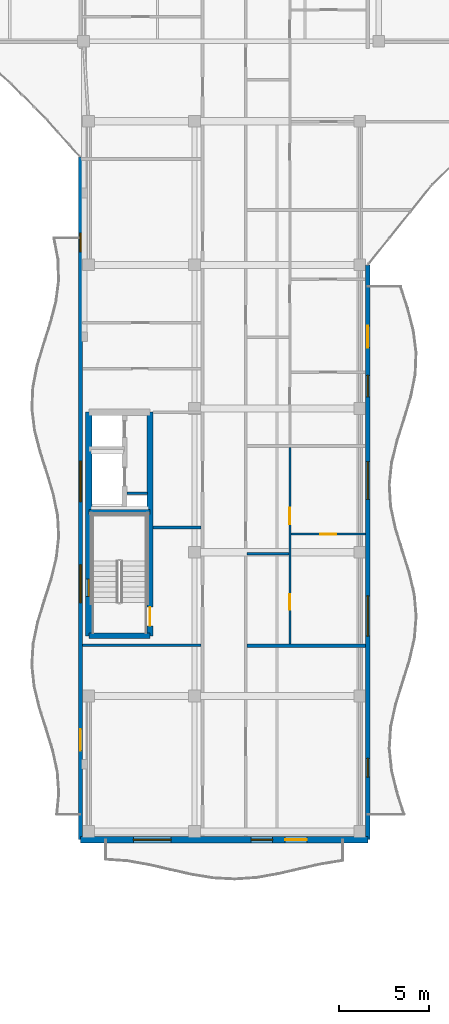
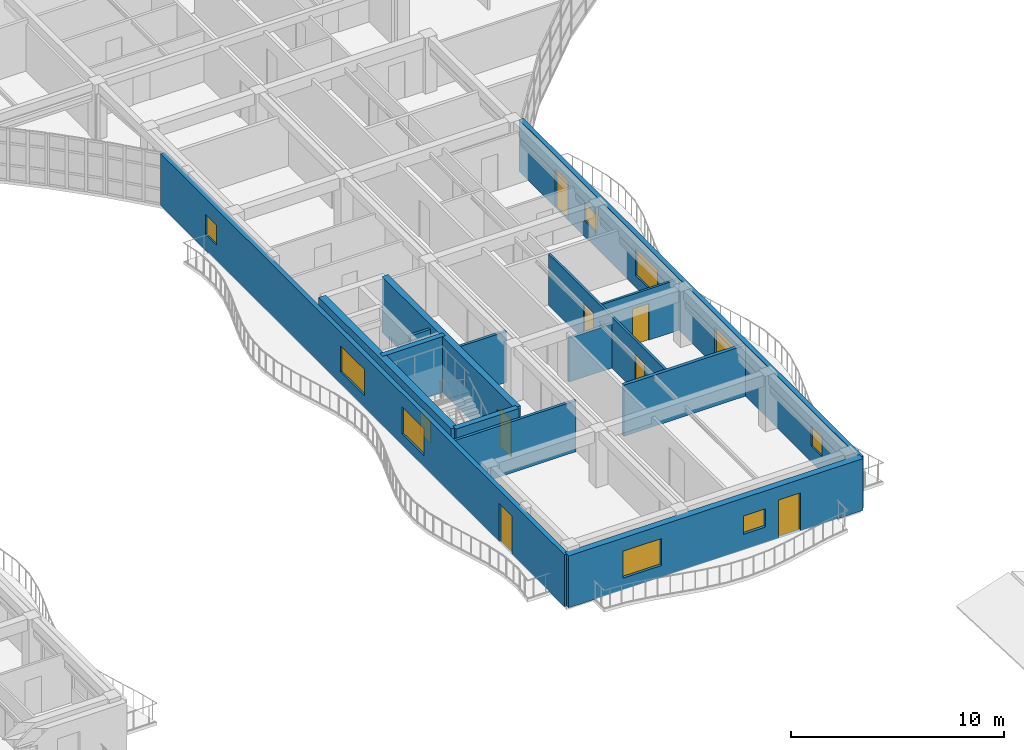
# One storey, part 46 of 89: 14 walls, 10 windows, 7 doors, 17 openings.
"""IFC4 building model written with IfcOpenShell, lengths in metres."""

from ifc_helpers import new_model, si_unit, direction, frame, frame_2d, origin, place, context, subcontext, project, spatial, rectangle, extrude, material, layer, layer_set, type_object, element, fill, save


model = new_model("IFC4")

# Units and contexts
model_context = context("Model", 3, precision=1e-05, world=origin(), true_north=direction((0.0, 1.0)))
body_context = subcontext(model_context, "Body", "Model", "MODEL_VIEW")
ifc_project = project(units=[si_unit("LENGTHUNIT", "METRE"), si_unit("AREAUNIT", "SQUARE_METRE"), si_unit("VOLUMEUNIT", "CUBIC_METRE"), si_unit("PLANEANGLEUNIT", "RADIAN"), si_unit("MASSUNIT", "GRAM", prefix="KILO")], contexts=[model_context])

# Site, building, storey
site_placement = place(None, origin())
site = spatial("IfcSite", under=ifc_project, at=site_placement, CompositionType="ELEMENT")
building_placement = place(site_placement, origin())
building = spatial("IfcBuilding", under=site, at=building_placement, Name="Keldmere Railside Commons", CompositionType="ELEMENT")
storey_placement = place(building_placement, frame((0.0, 0.0, 7.360107421875)))
storey = spatial("IfcBuildingStorey", under=building, at=storey_placement, Name="L02", CompositionType="ELEMENT", Elevation=7.360107421875)

# Wall
ifc_material_1 = material(Name="Acoustic Gypsum Board Partition", Category="gypsum")
ifc_layer_1 = layer(ifc_material_1, 0.179931640625, Name="Acoustic Demising Partition 180")
ifc_layer_set_1 = layer_set([ifc_layer_1], Name="Acoustic Gypsum Board Partition")
wall_type_1 = type_object("IfcWallType", Name="Acoustic Demising Partition 180", PredefinedType="PARTITIONING", material=ifc_layer_set_1)
wall_1_placement = place(storey_placement, frame((57.280029296875, 66.7900390625, 0.0), z_axis=(0.0, 0.0, 1.0), x_axis=(1.0, 0.0, 0.0)))
element("IfcWall", 1, at=wall_1_placement, inside=storey, type_object=wall_type_1, Name="IW-1 IW-L02-0559", PredefinedType="PARTITIONING", context=body_context, shape_type="SweptSolid", body=[
    extrude(rectangle(XDim=6.599853515625, YDim=0.179931640625, at=frame_2d((3.2998046875, 0.0))), origin(), (0.0, 0.0, 1.0), 2.934814453125),
])

# Wall, openings, doors
ifc_layer_2 = layer(ifc_material_1, 0.1201171875, Name="Apartment Interior Partition 120")
ifc_layer_set_2 = layer_set([ifc_layer_2], Name="Acoustic Gypsum Board Partition")
wall_type_2 = type_object("IfcWallType", Name="Apartment Interior Partition 120", PredefinedType="PARTITIONING", material=ifc_layer_set_2)
wall_2_placement = place(storey_placement, frame((59.659912109375, 66.8798828125, 0.0), z_axis=(0.0, 0.0, 1.0), x_axis=(0.0, 1.0, 0.0)))
wall_2 = element("IfcWall", 2, at=wall_2_placement, inside=storey, type_object=wall_type_2, Name="IW-4 IW-L02-0562", PredefinedType="PARTITIONING", context=body_context, shape_type="SweptSolid", body=[
    extrude(rectangle(XDim=10.940185546875, YDim=0.1201171875, at=frame_2d((5.47021484375, 0.0))), origin(), (0.0, 0.0, 1.0), 2.934814453125),
])
opening_1_placement = place(wall_2_placement, frame((1.911376953125, 0.0, 0.0)))
opening_1 = element("IfcOpeningElement", 3, at=opening_1_placement, cuts=wall_2, Name="Opening ID-04", PredefinedType="OPENING", context=body_context, shape_type="SweptSolid", body=[
    extrude(rectangle(XDim=0.860107421875, YDim=2.10009765625, at=frame_2d((0.43017578125, 1.050048828125))), frame((0.0, 0.070068359375, 0.0), z_axis=(0.0, -1.0, 0.0), x_axis=(1.0, 0.0, 0.0)), (0.0, 0.0, 1.0), 0.14013671875),
])
opening_2_placement = place(wall_2_placement, frame((6.684814453125, 0.0, 0.0)))
opening_2 = element("IfcOpeningElement", 4, at=opening_2_placement, cuts=wall_2, Name="Opening ID-03", PredefinedType="OPENING", context=body_context, shape_type="SweptSolid", body=[
    extrude(rectangle(XDim=0.919921875, YDim=2.10009765625, at=frame_2d((0.4599609375, 1.050048828125))), frame((0.0, 0.070068359375, 0.0), z_axis=(0.0, -1.0, 0.0), x_axis=(1.0, 0.0, 0.0)), (0.0, 0.0, 1.0), 0.14013671875),
])
ifc_material_2 = material(Name="Engineered Oak Timber", Category="wood")
door_type_1 = type_object("IfcDoorType", Name="Apartment Bathroom Door 860x2100", OperationType="NOTDEFINED", PredefinedType="DOOR", material=ifc_material_2)
door_1_placement = place(opening_1_placement, origin())
door_1 = element("IfcDoor", 5, at=door_1_placement, inside=storey, type_object=door_type_1, Name="ID-04 IDR-L02-0449", OperationType="SINGLE_SWING_LEFT", OverallHeight=2.10009765625, OverallWidth=0.860107421875, PredefinedType="DOOR", context=body_context, shape_type="SweptSolid", body=[
    extrude(rectangle(XDim=0.860107421875, YDim=2.10009765625, at=frame_2d((0.43017578125, 1.050048828125))), frame((0.0, 0.02490234375, 0.0), z_axis=(0.0, -1.0, 0.0), x_axis=(1.0, 0.0, 0.0)), (0.0, 0.0, 1.0), 0.050048828125),
])
fill(opening_1, door_1)
door_type_2 = type_object("IfcDoorType", Name="Kitchen Pocket-Frame Swing Door 920x2100", OperationType="NOTDEFINED", PredefinedType="DOOR", material=ifc_material_2)
door_2_placement = place(opening_2_placement, origin())
door_2 = element("IfcDoor", 6, at=door_2_placement, inside=storey, type_object=door_type_2, Name="ID-03 IDR-L02-0450", OperationType="SINGLE_SWING_RIGHT", OverallHeight=2.10009765625, OverallWidth=0.919921875, PredefinedType="DOOR", context=body_context, shape_type="SweptSolid", body=[
    extrude(rectangle(XDim=0.919921875, YDim=2.10009765625, at=frame_2d((0.4599609375, 1.050048828125))), frame((0.0, 0.02490234375, 0.0), z_axis=(0.0, -1.0, 0.0), x_axis=(1.0, 0.0, 0.0)), (0.0, 0.0, 1.0), 0.050048828125),
])
fill(opening_2, door_2)

# Wall, opening, door
wall_3_placement = place(storey_placement, frame((59.719970703125, 73.010009765625, 0.0), z_axis=(0.0, 0.0, 1.0), x_axis=(1.0, 0.0, 0.0)))
wall_3 = element("IfcWall", 7, at=wall_3_placement, inside=storey, type_object=wall_type_2, Name="IW-4 IW-L02-0564", PredefinedType="PARTITIONING", context=body_context, shape_type="SweptSolid", body=[
    extrude(rectangle(XDim=4.159912109375, YDim=0.1201171875, at=frame_2d((2.080078125, 0.0))), origin(), (0.0, 0.0, 1.0), 2.934814453125),
])
opening_3_placement = place(wall_3_placement, frame((1.6298828125, 0.0, 0.0)))
opening_3 = element("IfcOpeningElement", 8, at=opening_3_placement, cuts=wall_3, Name="Opening ID-01", PredefinedType="OPENING", context=body_context, shape_type="SweptSolid", body=[
    extrude(rectangle(XDim=0.89990234375, YDim=2.10009765625, at=frame_2d((0.449951171875, 1.050048828125))), frame((0.0, 0.070068359375, 0.0), z_axis=(0.0, -1.0, 0.0), x_axis=(1.0, 0.0, 0.0)), (0.0, 0.0, 1.0), 0.14013671875),
])
door_type_3 = type_object("IfcDoorType", Name="Primary Bedroom Door 900x2100", OperationType="NOTDEFINED", PredefinedType="DOOR", material=ifc_material_2)
door_3_placement = place(opening_3_placement, origin())
door_3 = element("IfcDoor", 9, at=door_3_placement, inside=storey, type_object=door_type_3, Name="ID-01 IDR-L02-0452", OperationType="SINGLE_SWING_RIGHT", OverallHeight=2.10009765625, OverallWidth=0.89990234375, PredefinedType="DOOR", context=body_context, shape_type="SweptSolid", body=[
    extrude(rectangle(XDim=0.89990234375, YDim=2.10009765625, at=frame_2d((0.449951171875, 1.050048828125))), frame((0.0, 0.02490234375, 0.0), z_axis=(0.0, -1.0, 0.0), x_axis=(1.0, 0.0, 0.0)), (0.0, 0.0, 1.0), 0.050048828125),
])
fill(opening_3, door_3)

# Wall
ifc_material_3 = material(Name="Concrete H-35 (C35/45)", Category="concrete")
ifc_layer_3 = layer(ifc_material_3, 0.280029296875, Name="Core Shear Wall 280")
ifc_layer_set_3 = layer_set([ifc_layer_3], Name="Concrete H-35 (C35/45)")
wall_type_3 = type_object("IfcWallType", Name="Core Shear Wall 280", PredefinedType="SHEAR", material=ifc_layer_set_3)
wall_4_placement = place(storey_placement, frame((48.4599609375, 74.239990234375, 0.0), z_axis=(0.0, 0.0, 1.0), x_axis=(1.0, 0.0, 0.0)))
element("IfcWall", 10, at=wall_4_placement, inside=storey, type_object=wall_type_3, Name="CSW-2 CORECM-L02-0226", PredefinedType="SHEAR", context=body_context, shape_type="SweptSolid", body=[
    extrude(rectangle(XDim=3.41015625, YDim=0.280029296875, at=frame_2d((1.705078125, 0.0))), origin(), (0.0, 0.0, 1.0), 3.199951171875),
])

# Wall, opening, window
ifc_material_4 = material(Name="Concrete H-40 (C40/50)", Category="concrete")
ifc_layer_4 = layer(ifc_material_4, 0.3798828125, Name="Core Shear Wall 380")
ifc_layer_set_4 = layer_set([ifc_layer_4], Name="Concrete H-40 (C40/50)")
wall_type_4 = type_object("IfcWallType", Name="Core Shear Wall 380", PredefinedType="SHEAR", material=ifc_layer_set_4)
wall_5_placement = place(storey_placement, frame((48.4599609375, 67.35009765625, 0.0), z_axis=(0.0, 0.0, 1.0), x_axis=(0.0, 1.0, 0.0)))
wall_5 = element("IfcWall", 11, at=wall_5_placement, inside=storey, type_object=wall_type_4, Name="CW-CORE CORECW-L02-0222", PredefinedType="SHEAR", context=body_context, shape_type="SweptSolid", body=[
    extrude(rectangle(XDim=12.449951171875, YDim=0.3798828125, at=frame_2d((6.22509765625, 0.0))), origin(), (0.0, 0.0, 1.0), 3.199951171875),
])
opening_4_placement = place(wall_5_placement, frame((2.199951171875, 0.0, 0.969970703125)))
opening_4 = element("IfcOpeningElement", 12, at=opening_4_placement, cuts=wall_5, Name="Opening WN-17", PredefinedType="OPENING", context=body_context, shape_type="SweptSolid", body=[
    extrude(rectangle(XDim=0.949951171875, YDim=1.25, at=frame_2d((0.47509765625, 0.625))), frame((0.0, 0.199951171875, 0.0), z_axis=(0.0, -1.0, 0.0), x_axis=(1.0, 0.0, 0.0)), (0.0, 0.0, 1.0), 0.39990234375),
])
ifc_material_5 = material(Name="Low-E Insulated Double Glazing", Category="glass")
window_type_1 = type_object("IfcWindowType", Name="Stair Core Natural Smoke-Vent Window 950x1250", PartitioningType="SINGLE_PANEL", PredefinedType="WINDOW", material=ifc_material_5)
window_1_placement = place(opening_4_placement, origin())
window_1 = element("IfcWindow", 13, at=window_1_placement, inside=storey, type_object=window_type_1, Name="WN-17 WIN-L02-0148", OverallHeight=1.25, OverallWidth=0.949951171875, PartitioningType="SINGLE_PANEL", PredefinedType="WINDOW", context=body_context, shape_type="SweptSolid", body=[
    extrude(rectangle(XDim=0.949951171875, YDim=1.25, at=frame_2d((0.47509765625, 0.625))), frame((0.0, 0.030029296875, 0.0), z_axis=(0.0, -1.0, 0.0), x_axis=(1.0, 0.0, 0.0)), (0.0, 0.0, 1.0), 0.06005859375),
])
fill(opening_4, window_1)

# Wall, openings, windows, door
ifc_layer_5 = layer(ifc_material_3, 0.360107421875, Name="Exterior Shear Wall 360")
ifc_layer_set_5 = layer_set([ifc_layer_5], Name="Concrete H-35 (C35/45)")
wall_type_5 = type_object("IfcWallType", Name="Exterior Shear Wall 360", PredefinedType="SHEAR", material=ifc_layer_set_5)
wall_6_placement = place(storey_placement, frame((64.0, 56.0, 0.0), z_axis=(0.0, 0.0, 1.0), x_axis=(-1.0, 0.0, 0.0)))
wall_6 = element("IfcWall", 14, at=wall_6_placement, inside=storey, type_object=wall_type_5, Name="ESW-1 EXTC-L02-0335", PredefinedType="SHEAR", context=body_context, shape_type="SweptSolid", body=[
    extrude(rectangle(XDim=16.0, YDim=0.360107421875, at=frame_2d((8.0, 0.0))), origin(), (0.0, 0.0, 1.0), 2.97998046875),
])
opening_5_placement = place(wall_6_placement, frame((3.39990234375, 0.0, 0.0)))
opening_5 = element("IfcOpeningElement", 15, at=opening_5_placement, cuts=wall_6, Name="Opening BD-01", PredefinedType="OPENING", context=body_context, shape_type="SweptSolid", body=[
    extrude(rectangle(XDim=1.199951171875, YDim=2.199951171875, at=frame_2d((0.60009765625, 1.10009765625))), frame((0.0, 0.18994140625, 0.0), z_axis=(0.0, -1.0, 0.0), x_axis=(1.0, 0.0, 0.0)), (0.0, 0.0, 1.0), 0.380126953125),
])
opening_6_placement = place(wall_6_placement, frame((5.300048828125, 0.0, 0.89990234375)))
opening_6 = element("IfcOpeningElement", 16, at=opening_6_placement, cuts=wall_6, Name="Opening WN-14", PredefinedType="OPENING", context=body_context, shape_type="SweptSolid", body=[
    extrude(rectangle(XDim=1.199951171875, YDim=1.050048828125, at=frame_2d((0.60009765625, 0.52490234375))), frame((0.0, 0.18994140625, 0.0), z_axis=(0.0, -1.0, 0.0), x_axis=(1.0, 0.0, 0.0)), (0.0, 0.0, 1.0), 0.380126953125),
])
opening_7_placement = place(wall_6_placement, frame((10.949951171875, 0.0, 0.669921875)))
opening_7 = element("IfcOpeningElement", 17, at=opening_7_placement, cuts=wall_6, Name="Opening WN-11", PredefinedType="OPENING", context=body_context, shape_type="SweptSolid", body=[
    extrude(rectangle(XDim=2.10009765625, YDim=1.550048828125, at=frame_2d((1.050048828125, 0.77490234375))), frame((0.0, 0.18994140625, 0.0), z_axis=(0.0, -1.0, 0.0), x_axis=(1.0, 0.0, 0.0)), (0.0, 0.0, 1.0), 0.380126953125),
])
window_type_2 = type_object("IfcWindowType", Name="Apartment Kitchen Ribbon Window 1200x1050", PartitioningType="SINGLE_PANEL", PredefinedType="WINDOW", material=ifc_material_5)
window_2_placement = place(opening_6_placement, origin())
window_2 = element("IfcWindow", 18, at=window_2_placement, inside=storey, type_object=window_type_2, Name="WN-14 WIN-L02-0191", OverallHeight=1.050048828125, OverallWidth=1.199951171875, PartitioningType="SINGLE_PANEL", PredefinedType="WINDOW", context=body_context, shape_type="SweptSolid", body=[
    extrude(rectangle(XDim=1.199951171875, YDim=1.050048828125, at=frame_2d((0.60009765625, 0.52490234375))), frame((0.0, 0.030029296875, 0.0), z_axis=(0.0, -1.0, 0.0), x_axis=(1.0, 0.0, 0.0)), (0.0, 0.0, 1.0), 0.06005859375),
])
fill(opening_6, window_2)
ifc_material_6 = material(Name="Thermally Broken Aluminium", Category="aluminium")
door_type_4 = type_object("IfcDoorType", Name="Apartment Living Wave-Balcony Glazed Door 1200x2200", OperationType="NOTDEFINED", PredefinedType="DOOR", material=ifc_material_6)
door_4_placement = place(opening_5_placement, origin())
door_4 = element("IfcDoor", 19, at=door_4_placement, inside=storey, type_object=door_type_4, Name="BD-01 DR-L02-0061", OperationType="SINGLE_SWING_LEFT", OverallHeight=2.199951171875, OverallWidth=1.199951171875, PredefinedType="DOOR", context=body_context, shape_type="SweptSolid", body=[
    extrude(rectangle(XDim=1.199951171875, YDim=2.199951171875, at=frame_2d((0.60009765625, 1.10009765625))), frame((0.0, 0.02490234375, 0.0), z_axis=(0.0, -1.0, 0.0), x_axis=(1.0, 0.0, 0.0)), (0.0, 0.0, 1.0), 0.050048828125),
])
fill(opening_5, door_4)
window_type_3 = type_object("IfcWindowType", Name="Studio Wide Casement Window 2100x1550", PartitioningType="SINGLE_PANEL", PredefinedType="WINDOW", material=ifc_material_5)
window_3_placement = place(opening_7_placement, origin())
window_3 = element("IfcWindow", 20, at=window_3_placement, inside=storey, type_object=window_type_3, Name="WN-11 WIN-L02-0192", OverallHeight=1.550048828125, OverallWidth=2.10009765625, PartitioningType="SINGLE_PANEL", PredefinedType="WINDOW", context=body_context, shape_type="SweptSolid", body=[
    extrude(rectangle(XDim=2.10009765625, YDim=1.550048828125, at=frame_2d((1.050048828125, 0.77490234375))), frame((0.0, 0.030029296875, 0.0), z_axis=(0.0, -1.0, 0.0), x_axis=(1.0, 0.0, 0.0)), (0.0, 0.0, 1.0), 0.06005859375),
])
fill(opening_7, window_3)

# Wall
ifc_layer_6 = layer(ifc_material_3, 0.300048828125, Name="Interior Shear Wall 300")
ifc_layer_set_6 = layer_set([ifc_layer_6], Name="Concrete H-35 (C35/45)")
wall_type_6 = type_object("IfcWallType", Name="Interior Shear Wall 300", PredefinedType="SHEAR", material=ifc_layer_set_6)
wall_7_placement = place(storey_placement, frame((51.8701171875, 67.35009765625, 0.0), z_axis=(0.0, 0.0, 1.0), x_axis=(-1.0, 0.0, 0.0)))
element("IfcWall", 21, at=wall_7_placement, inside=storey, type_object=wall_type_6, Name="ISW-2 CORECS-L02-0225", PredefinedType="SHEAR", context=body_context, shape_type="SweptSolid", body=[
    extrude(rectangle(XDim=3.41015625, YDim=0.300048828125, at=frame_2d((1.705078125, 0.0))), origin(), (0.0, 0.0, 1.0), 3.199951171875),
])

# Wall, opening, door
ifc_layer_7 = layer(ifc_material_3, 0.340087890625, Name="Interior Shear Wall 340")
ifc_layer_set_7 = layer_set([ifc_layer_7], Name="Concrete H-35 (C35/45)")
wall_type_7 = type_object("IfcWallType", Name="Interior Shear Wall 340", PredefinedType="SHEAR", material=ifc_layer_set_7)
wall_8_placement = place(storey_placement, frame((51.8701171875, 79.800048828125, 0.0), z_axis=(0.0, 0.0, 1.0), x_axis=(0.0, -1.0, 0.0)))
wall_8 = element("IfcWall", 22, at=wall_8_placement, inside=storey, type_object=wall_type_7, Name="ISW-1 CORECE-L02-0224", PredefinedType="SHEAR", context=body_context, shape_type="SweptSolid", body=[
    extrude(rectangle(XDim=12.449951171875, YDim=0.340087890625, at=frame_2d((6.22509765625, 0.0))), origin(), (0.0, 0.0, 1.0), 3.199951171875),
])
opening_8_placement = place(wall_8_placement, frame((10.85009765625, 0.0, 0.0)))
opening_8 = element("IfcOpeningElement", 23, at=opening_8_placement, cuts=wall_8, Name="Opening FD-1", PredefinedType="OPENING", context=body_context, shape_type="SweptSolid", body=[
    extrude(rectangle(XDim=1.050048828125, YDim=2.14990234375, at=frame_2d((0.52490234375, 1.074951171875))), frame((0.0, 0.179931640625, 0.0), z_axis=(0.0, -1.0, 0.0), x_axis=(1.0, 0.0, 0.0)), (0.0, 0.0, 1.0), 0.360107421875),
])
ifc_material_7 = material(Name="Steel F-24 (S235)", Category="steel")
door_type_5 = type_object("IfcDoorType", Name="Stair Core Fire Door 1050x2150", OperationType="NOTDEFINED", PredefinedType="DOOR", material=ifc_material_7)
door_5_placement = place(opening_8_placement, origin())
door_5 = element("IfcDoor", 24, at=door_5_placement, inside=storey, type_object=door_type_5, Name="FD-1 C1 L02", OperationType="SINGLE_SWING_LEFT", OverallHeight=2.14990234375, OverallWidth=1.050048828125, PredefinedType="DOOR", context=body_context, shape_type="SweptSolid", body=[
    extrude(rectangle(XDim=1.050048828125, YDim=2.14990234375, at=frame_2d((0.52490234375, 1.074951171875))), frame((0.0, 0.02490234375, 0.0), z_axis=(0.0, -1.0, 0.0), x_axis=(1.0, 0.0, 0.0)), (0.0, 0.0, 1.0), 0.050048828125),
])
fill(opening_8, door_5)

# Walls
ifc_layer_8 = layer(ifc_material_1, 0.14990234375, Name="Lobby Rated Partition 150")
ifc_layer_set_8 = layer_set([ifc_layer_8], Name="Acoustic Gypsum Board Partition")
wall_type_8 = type_object("IfcWallType", Name="Lobby Rated Partition 150", PredefinedType="PARTITIONING", material=ifc_layer_set_8)
wall_9_placement = place(storey_placement, frame((50.60009765625, 75.280029296875, 0.0), z_axis=(0.0, 0.0, 1.0), x_axis=(1.0, 0.0, 0.0)))
element("IfcWall", 25, at=wall_9_placement, inside=storey, type_object=wall_type_8, Name="IW-3 RSRNC-L02-0229", PredefinedType="PARTITIONING", context=body_context, shape_type="SweptSolid", body=[
    extrude(rectangle(XDim=1.1298828125, YDim=0.14990234375, at=frame_2d((0.56494140625, 0.0))), origin(), (0.0, 0.0, 1.0), 2.949951171875),
])
wall_10_placement = place(storey_placement, frame((48.1201171875, 66.820068359375, 0.0), z_axis=(0.0, 0.0, 1.0), x_axis=(1.0, 0.0, 0.0)))
element("IfcWall", 26, at=wall_10_placement, inside=storey, type_object=wall_type_8, Name="IW-3 IW-L02-0547", PredefinedType="PARTITIONING", context=body_context, shape_type="SweptSolid", body=[
    extrude(rectangle(XDim=6.599853515625, YDim=0.14990234375, at=frame_2d((3.2998046875, 0.0))), origin(), (0.0, 0.0, 1.0), 2.934814453125),
])
wall_11_placement = place(storey_placement, frame((52.0400390625, 73.3798828125, 0.0), z_axis=(0.0, 0.0, 1.0), x_axis=(1.0, 0.0, 0.0)))
element("IfcWall", 27, at=wall_11_placement, inside=storey, type_object=wall_type_8, Name="IW-3 IW-L02-0548", PredefinedType="PARTITIONING", context=body_context, shape_type="SweptSolid", body=[
    extrude(rectangle(XDim=2.679931640625, YDim=0.14990234375, at=frame_2d((1.33984375, 0.0))), origin(), (0.0, 0.0, 1.0), 2.934814453125),
])

# Wall, openings, windows, door
ifc_material_8 = material(Name="Architectural Precast Concrete H-35 (C35/45)", Category="concrete")
ifc_layer_9 = layer(ifc_material_8, 0.239990234375, Name="Sand-Ochre Precast Cavity Wall 240")
ifc_layer_set_9 = layer_set([ifc_layer_9], Name="Architectural Precast Concrete H-35 (C35/45)")
wall_type_9 = type_object("IfcWallType", Name="Sand-Ochre Precast Cavity Wall 240", PredefinedType="SOLIDWALL", material=ifc_layer_set_9)
wall_12_placement = place(storey_placement, frame((64.0, 88.0, 0.0), z_axis=(0.0, 0.0, 1.0), x_axis=(0.0, -1.0, 0.0)))
wall_12 = element("IfcWall", 28, at=wall_12_placement, inside=storey, type_object=wall_type_9, Name="EW-2 EXTC-L02-0336", PredefinedType="SOLIDWALL", context=body_context, shape_type="SweptSolid", body=[
    extrude(rectangle(XDim=32.0, YDim=0.239990234375, at=frame_2d((16.0, 0.0))), origin(), (0.0, 0.0, 1.0), 2.97998046875),
])
opening_9_placement = place(wall_12_placement, frame((3.39990234375, 0.0, 0.0)))
opening_9 = element("IfcOpeningElement", 29, at=opening_9_placement, cuts=wall_12, Name="Opening BD-01", PredefinedType="OPENING", context=body_context, shape_type="SweptSolid", body=[
    extrude(rectangle(XDim=1.199951171875, YDim=2.199951171875, at=frame_2d((0.60009765625, 1.10009765625))), frame((0.0, 0.1298828125, 0.0), z_axis=(0.0, -1.0, 0.0), x_axis=(1.0, 0.0, 0.0)), (0.0, 0.0, 1.0), 0.260009765625),
])
opening_10_placement = place(wall_12_placement, frame((6.14990234375, 0.0, 0.89990234375)))
opening_10 = element("IfcOpeningElement", 30, at=opening_10_placement, cuts=wall_12, Name="Opening WN-14", PredefinedType="OPENING", context=body_context, shape_type="SweptSolid", body=[
    extrude(rectangle(XDim=1.199951171875, YDim=1.050048828125, at=frame_2d((0.60009765625, 0.52490234375))), frame((0.0, 0.1298828125, 0.0), z_axis=(0.0, -1.0, 0.0), x_axis=(1.0, 0.0, 0.0)), (0.0, 0.0, 1.0), 0.260009765625),
])
opening_11_placement = place(wall_12_placement, frame((10.949951171875, 0.0, 0.669921875)))
opening_11 = element("IfcOpeningElement", 31, at=opening_11_placement, cuts=wall_12, Name="Opening WN-11", PredefinedType="OPENING", context=body_context, shape_type="SweptSolid", body=[
    extrude(rectangle(XDim=2.10009765625, YDim=1.550048828125, at=frame_2d((1.050048828125, 0.77490234375))), frame((0.0, 0.1298828125, 0.0), z_axis=(0.0, -1.0, 0.0), x_axis=(1.0, 0.0, 0.0)), (0.0, 0.0, 1.0), 0.260009765625),
])
opening_12_placement = place(wall_12_placement, frame((18.425048828125, 0.0, 0.719970703125)))
opening_12 = element("IfcOpeningElement", 32, at=opening_12_placement, cuts=wall_12, Name="Opening WN-12", PredefinedType="OPENING", context=body_context, shape_type="SweptSolid", body=[
    extrude(rectangle(XDim=2.25, YDim=1.5, at=frame_2d((1.125, 0.75))), frame((0.0, 0.1298828125, 0.0), z_axis=(0.0, -1.0, 0.0), x_axis=(1.0, 0.0, 0.0)), (0.0, 0.0, 1.0), 0.260009765625),
])
opening_13_placement = place(wall_12_placement, frame((27.47509765625, 0.0, 0.89990234375)))
opening_13 = element("IfcOpeningElement", 33, at=opening_13_placement, cuts=wall_12, Name="Opening WN-13", PredefinedType="OPENING", context=body_context, shape_type="SweptSolid", body=[
    extrude(rectangle(XDim=1.050048828125, YDim=1.14990234375, at=frame_2d((0.52490234375, 0.574951171875))), frame((0.0, 0.1298828125, 0.0), z_axis=(0.0, -1.0, 0.0), x_axis=(1.0, 0.0, 0.0)), (0.0, 0.0, 1.0), 0.260009765625),
])
window_type_4 = type_object("IfcWindowType", Name="Apartment Kitchen Casement Window 1050x1150", PartitioningType="SINGLE_PANEL", PredefinedType="WINDOW", material=ifc_material_5)
window_4_placement = place(opening_13_placement, origin())
window_4 = element("IfcWindow", 34, at=window_4_placement, inside=storey, type_object=window_type_4, Name="WN-13 WIN-L02-0196", OverallHeight=1.14990234375, OverallWidth=1.050048828125, PartitioningType="SINGLE_PANEL", PredefinedType="WINDOW", context=body_context, shape_type="SweptSolid", body=[
    extrude(rectangle(XDim=1.050048828125, YDim=1.14990234375, at=frame_2d((0.52490234375, 0.574951171875))), frame((0.0, 0.030029296875, 0.0), z_axis=(0.0, -1.0, 0.0), x_axis=(1.0, 0.0, 0.0)), (0.0, 0.0, 1.0), 0.06005859375),
])
fill(opening_13, window_4)
window_5_placement = place(opening_10_placement, origin())
window_5 = element("IfcWindow", 35, at=window_5_placement, inside=storey, type_object=window_type_2, Name="WN-14 WIN-L02-0193", OverallHeight=1.050048828125, OverallWidth=1.199951171875, PartitioningType="SINGLE_PANEL", PredefinedType="WINDOW", context=body_context, shape_type="SweptSolid", body=[
    extrude(rectangle(XDim=1.199951171875, YDim=1.050048828125, at=frame_2d((0.60009765625, 0.52490234375))), frame((0.0, 0.030029296875, 0.0), z_axis=(0.0, -1.0, 0.0), x_axis=(1.0, 0.0, 0.0)), (0.0, 0.0, 1.0), 0.06005859375),
])
fill(opening_10, window_5)
door_6_placement = place(opening_9_placement, origin())
door_6 = element("IfcDoor", 36, at=door_6_placement, inside=storey, type_object=door_type_4, Name="BD-01 DR-L02-0062", OperationType="SINGLE_SWING_RIGHT", OverallHeight=2.199951171875, OverallWidth=1.199951171875, PredefinedType="DOOR", context=body_context, shape_type="SweptSolid", body=[
    extrude(rectangle(XDim=1.199951171875, YDim=2.199951171875, at=frame_2d((0.60009765625, 1.10009765625))), frame((0.0, 0.02490234375, 0.0), z_axis=(0.0, -1.0, 0.0), x_axis=(1.0, 0.0, 0.0)), (0.0, 0.0, 1.0), 0.050048828125),
])
fill(opening_9, door_6)
window_type_5 = type_object("IfcWindowType", Name="Studio Court Ribbon Window 2250x1500", PartitioningType="SINGLE_PANEL", PredefinedType="WINDOW", material=ifc_material_5)
window_6_placement = place(opening_12_placement, origin())
window_6 = element("IfcWindow", 37, at=window_6_placement, inside=storey, type_object=window_type_5, Name="WN-12 WIN-L02-0195", OverallHeight=1.5, OverallWidth=2.25, PartitioningType="SINGLE_PANEL", PredefinedType="WINDOW", context=body_context, shape_type="SweptSolid", body=[
    extrude(rectangle(XDim=2.25, YDim=1.5, at=frame_2d((1.125, 0.75))), frame((0.0, 0.030029296875, 0.0), z_axis=(0.0, -1.0, 0.0), x_axis=(1.0, 0.0, 0.0)), (0.0, 0.0, 1.0), 0.06005859375),
])
fill(opening_12, window_6)
window_7_placement = place(opening_11_placement, origin())
window_7 = element("IfcWindow", 38, at=window_7_placement, inside=storey, type_object=window_type_3, Name="WN-11 WIN-L02-0194", OverallHeight=1.550048828125, OverallWidth=2.10009765625, PartitioningType="SINGLE_PANEL", PredefinedType="WINDOW", context=body_context, shape_type="SweptSolid", body=[
    extrude(rectangle(XDim=2.10009765625, YDim=1.550048828125, at=frame_2d((1.050048828125, 0.77490234375))), frame((0.0, 0.030029296875, 0.0), z_axis=(0.0, -1.0, 0.0), x_axis=(1.0, 0.0, 0.0)), (0.0, 0.0, 1.0), 0.06005859375),
])
fill(opening_11, window_7)

wall_13_placement = place(storey_placement, frame((48.0, 56.0, 0.0), z_axis=(0.0, 0.0, 1.0), x_axis=(0.0, 1.0, 0.0)))
wall_13 = element("IfcWall", 39, at=wall_13_placement, inside=storey, type_object=wall_type_9, Name="EW-2 EXTC-L02-0342", PredefinedType="SOLIDWALL", context=body_context, shape_type="SweptSolid", body=[
    extrude(rectangle(XDim=38.0, YDim=0.239990234375, at=frame_2d((19.0, 0.0))), origin(), (0.0, 0.0, 1.0), 2.97998046875),
])
opening_14_placement = place(wall_13_placement, frame((4.949951171875, 0.0, 0.0)))
opening_14 = element("IfcOpeningElement", 40, at=opening_14_placement, cuts=wall_13, Name="Opening BD-01", PredefinedType="OPENING", context=body_context, shape_type="SweptSolid", body=[
    extrude(rectangle(XDim=1.199951171875, YDim=2.199951171875, at=frame_2d((0.60009765625, 1.10009765625))), frame((0.0, 0.1298828125, 0.0), z_axis=(0.0, -1.0, 0.0), x_axis=(1.0, 0.0, 0.0)), (0.0, 0.0, 1.0), 0.260009765625),
])
opening_15_placement = place(wall_13_placement, frame((13.199951171875, 0.0, 0.669921875)))
opening_15 = element("IfcOpeningElement", 41, at=opening_15_placement, cuts=wall_13, Name="Opening WN-11", PredefinedType="OPENING", context=body_context, shape_type="SweptSolid", body=[
    extrude(rectangle(XDim=2.10009765625, YDim=1.550048828125, at=frame_2d((1.050048828125, 0.77490234375))), frame((0.0, 0.1298828125, 0.0), z_axis=(0.0, -1.0, 0.0), x_axis=(1.0, 0.0, 0.0)), (0.0, 0.0, 1.0), 0.260009765625),
])
opening_16_placement = place(wall_13_placement, frame((18.824951171875, 0.0, 0.719970703125)))
opening_16 = element("IfcOpeningElement", 42, at=opening_16_placement, cuts=wall_13, Name="Opening WN-12", PredefinedType="OPENING", context=body_context, shape_type="SweptSolid", body=[
    extrude(rectangle(XDim=2.25, YDim=1.5, at=frame_2d((1.125, 0.75))), frame((0.0, 0.1298828125, 0.0), z_axis=(0.0, -1.0, 0.0), x_axis=(1.0, 0.0, 0.0)), (0.0, 0.0, 1.0), 0.260009765625),
])
opening_17_placement = place(wall_13_placement, frame((32.72509765625, 0.0, 0.89990234375)))
opening_17 = element("IfcOpeningElement", 43, at=opening_17_placement, cuts=wall_13, Name="Opening WN-13", PredefinedType="OPENING", context=body_context, shape_type="SweptSolid", body=[
    extrude(rectangle(XDim=1.050048828125, YDim=1.14990234375, at=frame_2d((0.52490234375, 0.574951171875))), frame((0.0, 0.1298828125, 0.0), z_axis=(0.0, -1.0, 0.0), x_axis=(1.0, 0.0, 0.0)), (0.0, 0.0, 1.0), 0.260009765625),
])
window_8_placement = place(opening_17_placement, origin())
window_8 = element("IfcWindow", 44, at=window_8_placement, inside=storey, type_object=window_type_4, Name="WN-13 WIN-L02-0209", OverallHeight=1.14990234375, OverallWidth=1.050048828125, PartitioningType="SINGLE_PANEL", PredefinedType="WINDOW", context=body_context, shape_type="SweptSolid", body=[
    extrude(rectangle(XDim=1.050048828125, YDim=1.14990234375, at=frame_2d((0.52490234375, 0.574951171875))), frame((0.0, 0.030029296875, 0.0), z_axis=(0.0, -1.0, 0.0), x_axis=(1.0, 0.0, 0.0)), (0.0, 0.0, 1.0), 0.06005859375),
])
fill(opening_17, window_8)
door_7_placement = place(opening_14_placement, origin())
door_7 = element("IfcDoor", 45, at=door_7_placement, inside=storey, type_object=door_type_4, Name="BD-01 DR-L02-0068", OperationType="SINGLE_SWING_RIGHT", OverallHeight=2.199951171875, OverallWidth=1.199951171875, PredefinedType="DOOR", context=body_context, shape_type="SweptSolid", body=[
    extrude(rectangle(XDim=1.199951171875, YDim=2.199951171875, at=frame_2d((0.60009765625, 1.10009765625))), frame((0.0, 0.02490234375, 0.0), z_axis=(0.0, -1.0, 0.0), x_axis=(1.0, 0.0, 0.0)), (0.0, 0.0, 1.0), 0.050048828125),
])
fill(opening_14, door_7)
window_9_placement = place(opening_16_placement, origin())
window_9 = element("IfcWindow", 46, at=window_9_placement, inside=storey, type_object=window_type_5, Name="WN-12 WIN-L02-0208", OverallHeight=1.5, OverallWidth=2.25, PartitioningType="SINGLE_PANEL", PredefinedType="WINDOW", context=body_context, shape_type="SweptSolid", body=[
    extrude(rectangle(XDim=2.25, YDim=1.5, at=frame_2d((1.125, 0.75))), frame((0.0, 0.030029296875, 0.0), z_axis=(0.0, -1.0, 0.0), x_axis=(1.0, 0.0, 0.0)), (0.0, 0.0, 1.0), 0.06005859375),
])
fill(opening_16, window_9)
window_10_placement = place(opening_15_placement, origin())
window_10 = element("IfcWindow", 47, at=window_10_placement, inside=storey, type_object=window_type_3, Name="WN-11 WIN-L02-0207", OverallHeight=1.550048828125, OverallWidth=2.10009765625, PartitioningType="SINGLE_PANEL", PredefinedType="WINDOW", context=body_context, shape_type="SweptSolid", body=[
    extrude(rectangle(XDim=2.10009765625, YDim=1.550048828125, at=frame_2d((1.050048828125, 0.77490234375))), frame((0.0, 0.030029296875, 0.0), z_axis=(0.0, -1.0, 0.0), x_axis=(1.0, 0.0, 0.0)), (0.0, 0.0, 1.0), 0.06005859375),
])
fill(opening_15, window_10)

# Wall
ifc_layer_10 = layer(ifc_material_1, 0.139892578125, Name="Wet-Room Sanitary Partition 140")
ifc_layer_set_10 = layer_set([ifc_layer_10], Name="Acoustic Gypsum Board Partition")
wall_type_10 = type_object("IfcWallType", Name="Wet-Room Sanitary Partition 140", PredefinedType="PARTITIONING", material=ifc_layer_set_10)
wall_14_placement = place(storey_placement, frame((57.280029296875, 71.909912109375, 0.0), z_axis=(0.0, 0.0, 1.0), x_axis=(1.0, 0.0, 0.0)))
element("IfcWall", 48, at=wall_14_placement, inside=storey, type_object=wall_type_10, Name="IW-5 IW-L02-0563", PredefinedType="PARTITIONING", context=body_context, shape_type="SweptSolid", body=[
    extrude(rectangle(XDim=2.320068359375, YDim=0.139892578125, at=frame_2d((1.16015625, 0.0))), origin(), (0.0, 0.0, 1.0), 2.52978515625),
])

save(model, "model.ifc")
